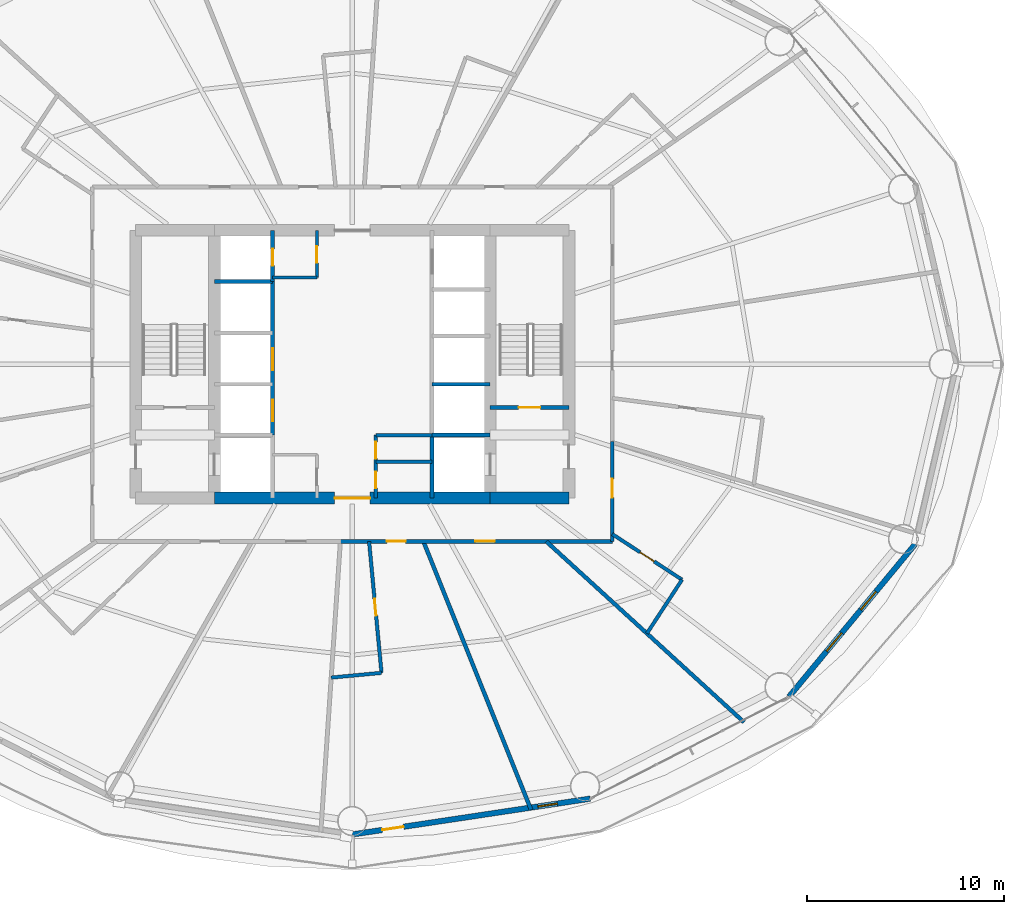
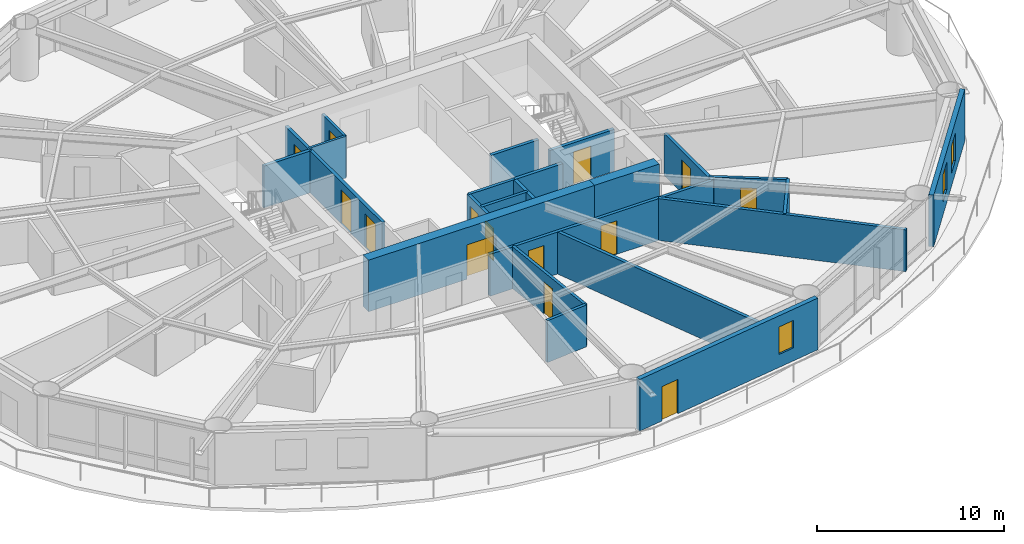
# One storey, part 21 of 26: 24 walls, 14 doors, 3 windows, 17 openings.
"""IFC4 building model written with IfcOpenShell, lengths in metres."""

import ifcopenshell
import ifcopenshell.guid

model = None  # the IFC model being written
_history = None  # IfcOwnerHistory: only IFC2X3 demands one
_inside = {}  # id of a spatial element -> (the spatial element, [elements in it])
_under = {}  # id of a project, library or spatial element -> (it, [spatial elements below it])
_declared = {}  # id of a project -> (the project, [libraries it declares])
_typed = {}  # id of a type object -> (the type object, [elements of that type])
_made_of = {}  # id of a material, layer set ... -> (it, [elements and type objects made of it])


def new_model(schema):
    """Start an empty IFC model of exactly this schema.

    Asked for "IFC4X3", IfcOpenShell would pick the latest addendum, in which some entities
    have other attributes; the version numbers below select the first issue.
    IFC2X3 requires an IfcOwnerHistory on every rooted entity: one is made here for all.
    """
    global model, _history
    if schema == "IFC4X3":
        model = ifcopenshell.file(schema_version=(4, 3, 0, 0))
    else:
        model = ifcopenshell.file(schema=schema)
    _inside.clear()
    _under.clear()
    _declared.clear()
    _typed.clear()
    _made_of.clear()
    _history = None
    if model.schema == "IFC2X3":
        org = make("IfcOrganization", Name="unknown")
        user = make(
            "IfcPersonAndOrganization",
            ThePerson=make("IfcPerson", FamilyName="unknown"),
            TheOrganization=org,
        )
        app = make(
            "IfcApplication",
            ApplicationDeveloper=org,
            Version="unknown",
            ApplicationFullName="unknown",
            ApplicationIdentifier="unknown",
        )
        _history = make(
            "IfcOwnerHistory",
            OwningUser=user,
            OwningApplication=app,
            ChangeAction="ADDED",
            CreationDate=0,
        )
    return model


def make(cls, **values):
    """One entity of the class cls with the attributes given. An attribute that is None is left unset."""
    return model.create_entity(
        cls, **{name: value for name, value in values.items() if value is not None}
    )


def rooted(cls, **values):
    """An entity with a GlobalId (a new one), such as an element, a storey or a relation."""
    return make(cls, GlobalId=ifcopenshell.guid.new(), OwnerHistory=_history, **values)


def si_unit(unit_type, name, prefix=None):
    """IfcSIUnit, for example si_unit("LENGTHUNIT", "METRE", prefix="MILLI")."""
    return make("IfcSIUnit", UnitType=unit_type, Prefix=prefix, Name=name)


def assignment(units):
    """IfcUnitAssignment: the units of a project."""
    return None if units is None else make("IfcUnitAssignment", Units=units)


def point(xyz):
    """IfcCartesianPoint."""
    return None if xyz is None else make("IfcCartesianPoint", Coordinates=xyz)


def direction(xyz):
    """IfcDirection."""
    return None if xyz is None else make("IfcDirection", DirectionRatios=xyz)


def frame(location, z_axis=None, x_axis=None):
    """IfcAxis2Placement3D, a coordinate frame: its origin and axes. An axis left out is left unset."""
    return make(
        "IfcAxis2Placement3D",
        Location=point(location),
        Axis=direction(z_axis),
        RefDirection=direction(x_axis),
    )


def frame_2d(location, x_axis=None):
    """IfcAxis2Placement2D, a coordinate frame in the plane: its origin and x axis."""
    return make(
        "IfcAxis2Placement2D", Location=point(location), RefDirection=direction(x_axis)
    )


def origin():
    """The frame at (0, 0, 0) with its axes left unset."""
    return frame((0.0, 0.0, 0.0))


def place(relative_to, where):
    """IfcLocalPlacement: puts the frame where relative to a parent placement (None: the world)."""
    return make(
        "IfcLocalPlacement", PlacementRelTo=relative_to, RelativePlacement=where
    )


def context(
    kind, dimensions, precision=None, world=None, true_north=None, identifier=None
):
    """IfcGeometricRepresentationContext, for example the 3D "Model" context."""
    return make(
        "IfcGeometricRepresentationContext",
        ContextIdentifier=identifier,
        ContextType=kind,
        CoordinateSpaceDimension=dimensions,
        Precision=precision,
        WorldCoordinateSystem=world,
        TrueNorth=true_north,
    )


def subcontext(parent, identifier, kind, view, scale=None):
    """IfcGeometricRepresentationSubContext, for example "Body" below "Model"."""
    return make(
        "IfcGeometricRepresentationSubContext",
        ContextIdentifier=identifier,
        ContextType=kind,
        ParentContext=parent,
        TargetScale=scale,
        TargetView=view,
    )


def project(units=None, contexts=None):
    """IfcProject with its units and contexts."""
    return rooted(
        "IfcProject",
        Name="project",
        RepresentationContexts=contexts,
        UnitsInContext=assignment(units),
    )


def spatial(cls, under=None, at=None, **own):
    """A site, building, storey or space (cls), placed at a placement, below another one or the project."""
    s = rooted(cls, ObjectPlacement=at, **own)
    if under is not None:
        _under.setdefault(under.id(), (under, []))[1].append(s)
    return s


def profile(cls, at=None, kind="AREA", **sizes):
    """A parametric profile (cls). Its sizes go by their IFC names, for example OverallWidth=200.0."""
    return make(cls, ProfileType=kind, Position=at, **sizes)


def rectangle(**sizes):
    """IfcRectangleProfileDef."""
    return profile("IfcRectangleProfileDef", **sizes)


def extrude(swept, where, along, depth):
    """IfcExtrudedAreaSolid: the profile swept, set in the frame where, extruded along a direction by depth."""
    return make(
        "IfcExtrudedAreaSolid",
        SweptArea=swept,
        Position=where,
        ExtrudedDirection=direction(along),
        Depth=depth,
    )


def shape(context_of_items, identifier, shape_type, items):
    """IfcShapeRepresentation: the items that make up one representation, for example the "Body"."""
    return make(
        "IfcShapeRepresentation",
        ContextOfItems=context_of_items,
        RepresentationIdentifier=identifier,
        RepresentationType=shape_type,
        Items=items,
    )


def material(Name=None, Category=None):
    """IfcMaterial."""
    return make("IfcMaterial", Name=Name, Category=Category)


def layer(
    of_material, thickness, ventilated=None, Name=None, Category=None, Priority=None
):
    """IfcMaterialLayer: one layer of a wall or slab, of a material (None: an air gap)."""
    return make(
        "IfcMaterialLayer",
        Material=of_material,
        LayerThickness=thickness,
        IsVentilated=ventilated,
        Name=Name,
        Category=Category,
        Priority=Priority,
    )


def layer_set(layers, Name=None):
    """IfcMaterialLayerSet."""
    return make("IfcMaterialLayerSet", MaterialLayers=layers, LayerSetName=Name)


def made_of(thing, what):
    """Note that an element or type object is made of a material, layer set ...; save() writes the relation."""
    if what is not None:
        _made_of.setdefault(what.id(), (what, []))[1].append(thing)
    return thing


def type_object(cls, material=None, **own):
    """A type object (cls), such as IfcWallType, which elements share."""
    return made_of(rooted(cls, **own), material)


def element(
    cls,
    number,
    at=None,
    inside=None,
    cuts=None,
    type_object=None,
    material=None,
    context=None,
    identifier="Body",
    shape_type=None,
    held_by="IfcProductDefinitionShape",
    body=None,
    shapes=None,
    **own,
):
    """One element of the class cls, such as IfcWall. Its Tag is "e" and its number.

    at: its placement. inside: the storey or other place that contains it. cuts: it is an
    opening in that element (IfcRelVoidsElement). A single representation is given by context,
    identifier, shape_type and body (its items); several are given by shapes. held_by: the class
    of the entity that holds the representations. save() writes the other relations.
    """
    e = rooted(cls, Tag="e%d" % number, ObjectPlacement=at, **own)
    if body is not None:
        shapes = [shape(context, identifier, shape_type, body)]
    if shapes is not None:
        e.Representation = make(held_by, Representations=shapes)
    if inside is not None:
        _inside.setdefault(inside.id(), (inside, []))[1].append(e)
    if cuts is not None:
        rooted(
            "IfcRelVoidsElement", RelatingBuildingElement=cuts, RelatedOpeningElement=e
        )
    if type_object is not None:
        _typed.setdefault(type_object.id(), (type_object, []))[1].append(e)
    return made_of(e, material)


def fill(opening, filler):
    """IfcRelFillsElement: the door or window that sits in an opening."""
    return rooted(
        "IfcRelFillsElement",
        RelatingOpeningElement=opening,
        RelatedBuildingElement=filler,
    )


def aggregate(whole, parts):
    """IfcRelAggregates: a whole, such as a stair, and the parts it consists of."""
    return rooted("IfcRelAggregates", RelatingObject=whole, RelatedObjects=parts)


def save(model, path):
    """Write the relations noted so far, then the file.

    IfcRelAggregates (storeys below a building ...), IfcRelContainedInSpatialStructure (elements
    in a storey), IfcRelDefinesByType, IfcRelAssociatesMaterial and IfcRelDeclares: one each for
    every whole, place, type object, material and project.
    """
    for whole, parts in _under.values():
        aggregate(whole, parts)
    for where, things in _inside.values():
        rooted(
            "IfcRelContainedInSpatialStructure",
            RelatedElements=things,
            RelatingStructure=where,
        )
    for kind, things in _typed.values():
        rooted("IfcRelDefinesByType", RelatedObjects=things, RelatingType=kind)
    for what, things in _made_of.values():
        rooted("IfcRelAssociatesMaterial", RelatedObjects=things, RelatingMaterial=what)
    for by, libraries in _declared.values():
        rooted("IfcRelDeclares", RelatingContext=by, RelatedDefinitions=libraries)
    model.write(path)


model = new_model("IFC4")

# Units and contexts
model_context = context("Model", 3, precision=1e-05, world=origin(), true_north=direction((0.0, 1.0)))
body_context = subcontext(model_context, "Body", "Model", "MODEL_VIEW")
ifc_project = project(units=[si_unit("LENGTHUNIT", "METRE"), si_unit("AREAUNIT", "SQUARE_METRE"), si_unit("VOLUMEUNIT", "CUBIC_METRE"), si_unit("PLANEANGLEUNIT", "RADIAN"), si_unit("MASSUNIT", "GRAM", prefix="KILO")], contexts=[model_context])

# Site, building, storey
site_placement = place(None, origin())
site = spatial("IfcSite", under=ifc_project, at=site_placement, CompositionType="ELEMENT")
building_placement = place(site_placement, origin())
building = spatial("IfcBuilding", under=site, at=building_placement, Name="Sarneth Arch Tower", CompositionType="ELEMENT")
storey_placement = place(building_placement, frame((0.0, 0.0, 64.199951171875)))
storey = spatial("IfcBuildingStorey", under=building, at=storey_placement, Name="L15", CompositionType="ELEMENT", Elevation=64.199951171875)

# Wall, opening, door
ifc_material_1 = material(Name="Concrete C60/75", Category="concrete")
ifc_layer_1 = layer(ifc_material_1, 0.60009765625)
ifc_layer_set_1 = layer_set([ifc_layer_1], Name="Concrete C60/75")
wall_type_1 = type_object("IfcWallType", Name="WALL-CORE-600", PredefinedType="SHEAR", material=ifc_layer_set_1)
wall_1_placement = place(storey_placement, frame((41.0, 35.199951171875, 0.0), z_axis=(0.0, 0.0, 1.0), x_axis=(1.0, 0.0, 0.0)))
wall_1 = element("IfcWall", 1, at=wall_1_placement, inside=storey, type_object=wall_type_1, Name="L15 Core shear wall S-M", PredefinedType="SHEAR", context=body_context, shape_type="SweptSolid", body=[
    extrude(rectangle(XDim=14.0, YDim=0.60009765625, at=frame_2d((7.0, 0.0))), origin(), (0.0, 0.0, 1.0), 3.380126953125),
])
opening_1_placement = place(wall_1_placement, frame((6.10009765625, 0.0, 0.0)))
opening_1 = element("IfcOpeningElement", 2, at=opening_1_placement, cuts=wall_1, Name="Opening FD-01", PredefinedType="OPENING", context=body_context, shape_type="SweptSolid", body=[
    extrude(rectangle(XDim=1.800048828125, YDim=2.25, at=frame_2d((0.89990234375, 1.125))), frame((0.0, 0.31005859375, 0.0), z_axis=(0.0, -1.0, 0.0), x_axis=(1.0, 0.0, 0.0)), (0.0, 0.0, 1.0), 0.6201171875),
])
ifc_material_2 = material(Name="Galvanised Steel S275 fire door set", Category="steel")
door_type_1 = type_object("IfcDoorType", Name="DR-FD90-1800", OperationType="DOUBLE_DOOR_SINGLE_SWING", PredefinedType="DOOR", material=ifc_material_2)
door_1_placement = place(opening_1_placement, origin())
door_1 = element("IfcDoor", 3, at=door_1_placement, inside=storey, type_object=door_type_1, Name="L15 Central lift lobby south door", OperationType="DOUBLE_DOOR_SINGLE_SWING", OverallHeight=2.25, OverallWidth=1.800048828125, PredefinedType="DOOR", context=body_context, shape_type="SweptSolid", body=[
    extrude(rectangle(XDim=1.800048828125, YDim=2.25, at=frame_2d((0.89990234375, 1.125))), frame((0.0, 0.02490234375, 0.0), z_axis=(0.0, -1.0, 0.0), x_axis=(1.0, 0.0, 0.0)), (0.0, 0.0, 1.0), 0.050048828125),
])
fill(opening_1, door_1)

# Wall
wall_2_placement = place(storey_placement, frame((55.0, 35.199951171875, 0.0), z_axis=(0.0, 0.0, 1.0), x_axis=(1.0, 0.0, 0.0)))
element("IfcWall", 4, at=wall_2_placement, inside=storey, type_object=wall_type_1, Name="L15 Core shear wall S-E", PredefinedType="SHEAR", context=body_context, shape_type="SweptSolid", body=[
    extrude(rectangle(XDim=4.0, YDim=0.60009765625, at=frame_2d((2.0, 0.0))), origin(), (0.0, 0.0, 1.0), 3.380126953125),
])

# Wall, openings, doors
ifc_material_3 = material(Name="Double steel-stud corridor fire wall", Category="steel")
ifc_layer_2 = layer(ifc_material_3, 0.18994140625)
ifc_layer_set_2 = layer_set([ifc_layer_2], Name="Double steel-stud corridor fire wall")
wall_type_2 = type_object("IfcWallType", Name="WALL-CORR-190", PredefinedType="PARTITIONING", material=ifc_layer_set_2)
wall_3_placement = place(storey_placement, frame((61.199951171875, 33.0, 0.0), z_axis=(0.0, 0.0, 1.0), x_axis=(-1.0, 0.0, 0.0)))
wall_3 = element("IfcWall", 5, at=wall_3_placement, inside=storey, type_object=wall_type_2, Name="L15 Interior partition W-L15-TP-023", PredefinedType="PARTITIONING", context=body_context, shape_type="SweptSolid", body=[
    extrude(rectangle(XDim=13.8388671875, YDim=0.18994140625, at=frame_2d((6.91943359375, 0.0))), origin(), (0.0, 0.0, 1.0), 2.739990234375),
])
opening_2_placement = place(wall_3_placement, frame((5.96533203125, 0.0, 0.0)))
opening_2 = element("IfcOpeningElement", 6, at=opening_2_placement, cuts=wall_3, Name="Opening FD-08", PredefinedType="OPENING", context=body_context, shape_type="SweptSolid", body=[
    extrude(rectangle(XDim=1.0, YDim=2.199951171875, at=frame_2d((0.5, 1.10009765625))), frame((0.0, 0.10498046875, 0.0), z_axis=(0.0, -1.0, 0.0), x_axis=(1.0, 0.0, 0.0)), (0.0, 0.0, 1.0), 0.2099609375),
])
opening_3_placement = place(wall_3_placement, frame((10.493408203125, 0.0, 0.0)))
opening_3 = element("IfcOpeningElement", 7, at=opening_3_placement, cuts=wall_3, Name="Opening FD-09", PredefinedType="OPENING", context=body_context, shape_type="SweptSolid", body=[
    extrude(rectangle(XDim=0.949951171875, YDim=2.14990234375, at=frame_2d((0.47509765625, 1.074951171875))), frame((0.0, 0.10498046875, 0.0), z_axis=(0.0, -1.0, 0.0), x_axis=(1.0, 0.0, 0.0)), (0.0, 0.0, 1.0), 0.2099609375),
])
ifc_material_4 = material(Name="Hardwood timber acoustic fire door", Category="wood")
door_type_2 = type_object("IfcDoorType", Name="DR-FD60-1000", OperationType="SINGLE_SWING_LEFT", PredefinedType="DOOR", material=ifc_material_4)
door_2_placement = place(opening_2_placement, origin())
door_2 = element("IfcDoor", 8, at=door_2_placement, inside=storey, type_object=door_type_2, Name="L15 Interior door DR-L15-AMN-12", OperationType="SINGLE_SWING_LEFT", OverallHeight=2.199951171875, OverallWidth=1.0, PredefinedType="DOOR", context=body_context, shape_type="SweptSolid", body=[
    extrude(rectangle(XDim=1.0, YDim=2.199951171875, at=frame_2d((0.5, 1.10009765625))), frame((0.0, 0.02490234375, 0.0), z_axis=(0.0, -1.0, 0.0), x_axis=(1.0, 0.0, 0.0)), (0.0, 0.0, 1.0), 0.050048828125),
])
fill(opening_2, door_2)
ifc_material_5 = material(Name="Hardwood timber hotel entrance fire door", Category="wood")
door_type_3 = type_object("IfcDoorType", Name="DR-FD60-950", OperationType="SINGLE_SWING_RIGHT", PredefinedType="DOOR", material=ifc_material_5)
door_3_placement = place(opening_3_placement, origin())
door_3 = element("IfcDoor", 9, at=door_3_placement, inside=storey, type_object=door_type_3, Name="L15 Interior door DR-L15-KEY-11", OperationType="SINGLE_SWING_LEFT", OverallHeight=2.14990234375, OverallWidth=0.949951171875, PredefinedType="DOOR", context=body_context, shape_type="SweptSolid", body=[
    extrude(rectangle(XDim=0.949951171875, YDim=2.14990234375, at=frame_2d((0.47509765625, 1.074951171875))), frame((0.0, 0.02490234375, 0.0), z_axis=(0.0, -1.0, 0.0), x_axis=(1.0, 0.0, 0.0)), (0.0, 0.0, 1.0), 0.050048828125),
])
fill(opening_3, door_3)

# Wall, opening, door
wall_4_placement = place(storey_placement, frame((61.199951171875, 38.069580078125, 0.0), z_axis=(0.0, 0.0, 1.0), x_axis=(0.0, -1.0, 0.0)))
wall_4 = element("IfcWall", 10, at=wall_4_placement, inside=storey, type_object=wall_type_2, Name="L15 Interior partition W-L15-TP-024", PredefinedType="PARTITIONING", context=body_context, shape_type="SweptSolid", body=[
    extrude(rectangle(XDim=5.069580078125, YDim=0.18994140625, at=frame_2d((2.53466796875, 0.0))), origin(), (0.0, 0.0, 1.0), 2.739990234375),
])
opening_4_placement = place(wall_4_placement, frame((1.89306640625, 0.0, 0.0)))
opening_4 = element("IfcOpeningElement", 11, at=opening_4_placement, cuts=wall_4, Name="Opening FD-09", PredefinedType="OPENING", context=body_context, shape_type="SweptSolid", body=[
    extrude(rectangle(XDim=0.949951171875, YDim=2.14990234375, at=frame_2d((0.47509765625, 1.074951171875))), frame((0.0, 0.10498046875, 0.0), z_axis=(0.0, -1.0, 0.0), x_axis=(1.0, 0.0, 0.0)), (0.0, 0.0, 1.0), 0.2099609375),
])
door_4_placement = place(opening_4_placement, origin())
door_4 = element("IfcDoor", 12, at=door_4_placement, inside=storey, type_object=door_type_3, Name="L15 Interior door DR-L15-KEY-13", OperationType="SINGLE_SWING_RIGHT", OverallHeight=2.14990234375, OverallWidth=0.949951171875, PredefinedType="DOOR", context=body_context, shape_type="SweptSolid", body=[
    extrude(rectangle(XDim=0.949951171875, YDim=2.14990234375, at=frame_2d((0.47509765625, 1.074951171875))), frame((0.0, 0.02490234375, 0.0), z_axis=(0.0, -1.0, 0.0), x_axis=(1.0, 0.0, 0.0)), (0.0, 0.0, 1.0), 0.050048828125),
])
fill(opening_4, door_4)

# Wall, openings, door, window
ifc_material_6 = material(Name="Extruded terracotta rainscreen on Concrete C40/50 backing", Category="masonry")
ifc_layer_3 = layer(ifc_material_6, 0.280029296875)
ifc_layer_set_3 = layer_set([ifc_layer_3], Name="Extruded terracotta rainscreen on Concrete C40/50 backing")
wall_type_3 = type_object("IfcWallType", Name="WALL-EXT-TERRA-280", PredefinedType="SOLIDWALL", material=ifc_layer_set_3)
wall_5_placement = place(storey_placement, frame((48.0, 18.1201171875, 0.0), z_axis=(0.0, 0.0, 1.0), x_axis=(0.988864835849, 0.148816452121, 0.0)))
wall_5 = element("IfcWall", 13, at=wall_5_placement, inside=storey, type_object=wall_type_3, Name="L15 Terracotta perimeter wall 13", PredefinedType="SOLIDWALL", context=body_context, shape_type="SweptSolid", body=[
    extrude(rectangle(XDim=12.2138671875, YDim=0.280029296875, at=frame_2d((6.10693359375, 0.0))), origin(), (0.0, 0.0, 1.0), 3.380126953125),
])
opening_5_placement = place(wall_5_placement, frame((1.53125, 0.0, 0.0)))
opening_5 = element("IfcOpeningElement", 14, at=opening_5_placement, cuts=wall_5, Name="Opening BD-3", PredefinedType="OPENING", context=body_context, shape_type="SweptSolid", body=[
    extrude(rectangle(XDim=1.10009765625, YDim=2.25, at=frame_2d((0.550048828125, 1.125))), frame((0.0, 0.14990234375, 0.0), z_axis=(0.0, -1.0, 0.0), x_axis=(1.0, 0.0, 0.0)), (0.0, 0.0, 1.0), 0.300048828125),
])
opening_6_placement = place(wall_5_placement, frame((9.531494140625, 0.0, 0.85009765625)))
opening_6 = element("IfcOpeningElement", 15, at=opening_6_placement, cuts=wall_5, Name="Opening W-11", PredefinedType="OPENING", context=body_context, shape_type="SweptSolid", body=[
    extrude(rectangle(XDim=1.0, YDim=1.800048828125, at=frame_2d((0.5, 0.89990234375))), frame((0.0, 0.14990234375, 0.0), z_axis=(0.0, -1.0, 0.0), x_axis=(1.0, 0.0, 0.0)), (0.0, 0.0, 1.0), 0.300048828125),
])
ifc_material_7 = material(Name="Thermally broken Aluminium 6063-T6 and laminated safety glass", Category="aluminium")
door_type_4 = type_object("IfcDoorType", Name="DR-BALC-GLZ-1100", OperationType="SINGLE_SWING_LEFT", PredefinedType="DOOR", material=ifc_material_7)
door_5_placement = place(opening_5_placement, origin())
door_5 = element("IfcDoor", 16, at=door_5_placement, inside=storey, type_object=door_type_4, Name="L15 Balcony glazed door 13", OperationType="SINGLE_SWING_LEFT", OverallHeight=2.25, OverallWidth=1.10009765625, PredefinedType="DOOR", context=body_context, shape_type="SweptSolid", body=[
    extrude(rectangle(XDim=1.10009765625, YDim=2.25, at=frame_2d((0.550048828125, 1.125))), frame((0.0, 0.02490234375, 0.0), z_axis=(0.0, -1.0, 0.0), x_axis=(1.0, 0.0, 0.0)), (0.0, 0.0, 1.0), 0.050048828125),
])
fill(opening_5, door_5)
ifc_material_8 = material(Name="Thermally broken Aluminium 6063-T6 and low-e laminated IGU", Category="aluminium")
window_type_1 = type_object("IfcWindowType", Name="WIN-TWR-1000x1800", PartitioningType="SINGLE_PANEL", PredefinedType="WINDOW", material=ifc_material_8)
window_1_placement = place(opening_6_placement, origin())
window_1 = element("IfcWindow", 17, at=window_1_placement, inside=storey, type_object=window_type_1, Name="L15 Exterior window 13A", OverallHeight=1.800048828125, OverallWidth=1.0, PartitioningType="SINGLE_PANEL", PredefinedType="WINDOW", context=body_context, shape_type="SweptSolid", body=[
    extrude(rectangle(XDim=1.0, YDim=1.800048828125, at=frame_2d((0.5, 0.89990234375))), frame((0.0, 0.030029296875, 0.0), z_axis=(0.0, -1.0, 0.0), x_axis=(1.0, 0.0, 0.0)), (0.0, 0.0, 1.0), 0.06005859375),
])
fill(opening_6, window_1)

# Wall, openings, windows
wall_6_placement = place(storey_placement, frame((70.174072265625, 25.1142578125, 0.0), z_axis=(0.0, 0.0, 1.0), x_axis=(0.637296809613, 0.770618437657, 0.0)))
wall_6 = element("IfcWall", 18, at=wall_6_placement, inside=storey, type_object=wall_type_3, Name="L15 Terracotta perimeter wall 15", PredefinedType="SOLIDWALL", context=body_context, shape_type="SweptSolid", body=[
    extrude(rectangle(XDim=10.053466796875, YDim=0.280029296875, at=frame_2d((5.02685546875, 0.0))), origin(), (0.0, 0.0, 1.0), 3.380126953125),
])
opening_7_placement = place(wall_6_placement, frame((2.998046875, 0.0, 0.85009765625)))
opening_7 = element("IfcOpeningElement", 19, at=opening_7_placement, cuts=wall_6, Name="Opening W-09", PredefinedType="OPENING", context=body_context, shape_type="SweptSolid", body=[
    extrude(rectangle(XDim=1.199951171875, YDim=1.800048828125, at=frame_2d((0.60009765625, 0.89990234375))), frame((0.0, 0.14990234375, 0.0), z_axis=(0.0, -1.0, 0.0), x_axis=(1.0, 0.0, 0.0)), (0.0, 0.0, 1.0), 0.300048828125),
])
opening_8_placement = place(wall_6_placement, frame((5.729736328125, 0.0, 0.85009765625)))
opening_8 = element("IfcOpeningElement", 20, at=opening_8_placement, cuts=wall_6, Name="Opening W-09", PredefinedType="OPENING", context=body_context, shape_type="SweptSolid", body=[
    extrude(rectangle(XDim=1.199951171875, YDim=1.800048828125, at=frame_2d((0.60009765625, 0.89990234375))), frame((0.0, 0.14990234375, 0.0), z_axis=(0.0, -1.0, 0.0), x_axis=(1.0, 0.0, 0.0)), (0.0, 0.0, 1.0), 0.300048828125),
])
ifc_material_9 = material(Name="Thermally broken Aluminium 6063-T6 and low-e laminated IGU", Category="aluminium")
window_type_2 = type_object("IfcWindowType", Name="WIN-TWR-1200x1800", PartitioningType="SINGLE_PANEL", PredefinedType="WINDOW", material=ifc_material_9)
window_2_placement = place(opening_7_placement, origin())
window_2 = element("IfcWindow", 21, at=window_2_placement, inside=storey, type_object=window_type_2, Name="L15 Exterior window 15A", OverallHeight=1.800048828125, OverallWidth=1.199951171875, PartitioningType="SINGLE_PANEL", PredefinedType="WINDOW", context=body_context, shape_type="SweptSolid", body=[
    extrude(rectangle(XDim=1.199951171875, YDim=1.800048828125, at=frame_2d((0.60009765625, 0.89990234375))), frame((0.0, 0.030029296875, 0.0), z_axis=(0.0, -1.0, 0.0), x_axis=(1.0, 0.0, 0.0)), (0.0, 0.0, 1.0), 0.06005859375),
])
fill(opening_7, window_2)
window_3_placement = place(opening_8_placement, origin())
window_3 = element("IfcWindow", 22, at=window_3_placement, inside=storey, type_object=window_type_2, Name="L15 Exterior window 15B", OverallHeight=1.800048828125, OverallWidth=1.199951171875, PartitioningType="SINGLE_PANEL", PredefinedType="WINDOW", context=body_context, shape_type="SweptSolid", body=[
    extrude(rectangle(XDim=1.199951171875, YDim=1.800048828125, at=frame_2d((0.60009765625, 0.89990234375))), frame((0.0, 0.030029296875, 0.0), z_axis=(0.0, -1.0, 0.0), x_axis=(1.0, 0.0, 0.0)), (0.0, 0.0, 1.0), 0.06005859375),
])
fill(opening_8, window_3)

# Wall
ifc_material_10 = material(Name="Acoustic gypsum stud partition", Category="gypsum")
ifc_layer_4 = layer(ifc_material_10, 0.14990234375)
ifc_layer_set_4 = layer_set([ifc_layer_4], Name="Acoustic gypsum stud partition")
wall_type_4 = type_object("IfcWallType", Name="WALL-PART-150", PredefinedType="PARTITIONING", material=ifc_layer_set_4)
wall_7_placement = place(storey_placement, frame((43.949951171875, 46.39990234375, 0.0), z_axis=(0.0, 0.0, 1.0), x_axis=(1.0, 0.0, 0.0)))
element("IfcWall", 23, at=wall_7_placement, inside=storey, type_object=wall_type_4, Name="L15 Interior partition W-L15-CSUP2-S", PredefinedType="PARTITIONING", context=body_context, shape_type="SweptSolid", body=[
    extrude(rectangle(XDim=2.25, YDim=0.14990234375, at=frame_2d((1.125, 0.0))), origin(), (0.0, 0.0, 1.0), 2.739990234375),
])

# Wall, opening, door
wall_8_placement = place(storey_placement, frame((46.199951171875, 46.39990234375, 0.0), z_axis=(0.0, 0.0, 1.0), x_axis=(0.0, 1.0, 0.0)))
wall_8 = element("IfcWall", 24, at=wall_8_placement, inside=storey, type_object=wall_type_4, Name="L15 Interior partition W-L15-CSUP2-E", PredefinedType="PARTITIONING", context=body_context, shape_type="SweptSolid", body=[
    extrude(rectangle(XDim=2.400146484375, YDim=0.14990234375, at=frame_2d((1.2001953125, 0.0))), origin(), (0.0, 0.0, 1.0), 2.739990234375),
])
opening_9_placement = place(wall_8_placement, frame((0.75, 0.0, 0.0)))
opening_9 = element("IfcOpeningElement", 25, at=opening_9_placement, cuts=wall_8, Name="Opening FD-11", PredefinedType="OPENING", context=body_context, shape_type="SweptSolid", body=[
    extrude(rectangle(XDim=0.85009765625, YDim=2.14990234375, at=frame_2d((0.425048828125, 1.074951171875))), frame((0.0, 0.0849609375, 0.0), z_axis=(0.0, -1.0, 0.0), x_axis=(1.0, 0.0, 0.0)), (0.0, 0.0, 1.0), 0.169921875),
])
ifc_material_11 = material(Name="Galvanised Steel S275 closet fire door", Category="steel")
door_type_5 = type_object("IfcDoorType", Name="DR-FD60-850", OperationType="SINGLE_SWING_LEFT", PredefinedType="DOOR", material=ifc_material_11)
door_6_placement = place(opening_9_placement, origin())
door_6 = element("IfcDoor", 26, at=door_6_placement, inside=storey, type_object=door_type_5, Name="L15 Interior door DR-L15-CSUP2", OperationType="SINGLE_SWING_RIGHT", OverallHeight=2.14990234375, OverallWidth=0.85009765625, PredefinedType="DOOR", context=body_context, shape_type="SweptSolid", body=[
    extrude(rectangle(XDim=0.85009765625, YDim=2.14990234375, at=frame_2d((0.425048828125, 1.074951171875))), frame((0.0, 0.02490234375, 0.0), z_axis=(0.0, -1.0, 0.0), x_axis=(1.0, 0.0, 0.0)), (0.0, 0.0, 1.0), 0.050048828125),
])
fill(opening_9, door_6)

# Walls
ifc_material_12 = material(Name="Moisture-resistant plumbing chase wall", Category="gypsum")
ifc_layer_5 = layer(ifc_material_12, 0.179931640625)
ifc_layer_set_5 = layer_set([ifc_layer_5], Name="Moisture-resistant plumbing chase wall")
wall_type_5 = type_object("IfcWallType", Name="WALL-PLUMB-180", PredefinedType="PLUMBINGWALL", material=ifc_layer_set_5)
for number, where, z_axis, x_axis, name in (
    (27, (49.199951171875, 37.050048828125, 0.0), (0.0, 0.0, 1.0), (1.0, 0.0, 0.0), "L15 Interior partition W-L15-AWC-M"),
    (28, (49.199951171875, 38.39990234375, 0.0), (0.0, 0.0, 1.0), (1.0, 0.0, 0.0), "L15 Interior partition W-L15-AWC-N"),
):
    element("IfcWall", number, at=place(storey_placement, frame(where, z_axis=z_axis, x_axis=x_axis)), inside=storey, type_object=wall_type_5, Name=name, PredefinedType="PLUMBINGWALL", context=body_context, shape_type="SweptSolid", body=[
        extrude(rectangle(XDim=2.85009765625, YDim=0.179931640625, at=frame_2d((1.425048828125, 0.0))), origin(), (0.0, 0.0, 1.0), 2.739990234375),
    ])

# Wall, openings, doors
wall_9_placement = place(storey_placement, frame((49.199951171875, 35.199951171875, 0.0), z_axis=(0.0, 0.0, 1.0), x_axis=(0.0, 1.0, 0.0)))
wall_9 = element("IfcWall", 29, at=wall_9_placement, inside=storey, type_object=wall_type_5, Name="L15 Interior partition W-L15-AWC-W", PredefinedType="PLUMBINGWALL", context=body_context, shape_type="SweptSolid", body=[
    extrude(rectangle(XDim=3.199951171875, YDim=0.179931640625, at=frame_2d((1.60009765625, 0.0))), origin(), (0.0, 0.0, 1.0), 2.739990234375),
])
opening_10_placement = place(wall_9_placement, frame((0.5, 0.0, 0.0)))
opening_10 = element("IfcOpeningElement", 30, at=opening_10_placement, cuts=wall_9, Name="Opening ID-02", PredefinedType="OPENING", context=body_context, shape_type="SweptSolid", body=[
    extrude(rectangle(XDim=0.85009765625, YDim=2.10009765625, at=frame_2d((0.425048828125, 1.050048828125))), frame((0.0, 0.099853515625, 0.0), z_axis=(0.0, -1.0, 0.0), x_axis=(1.0, 0.0, 0.0)), (0.0, 0.0, 1.0), 0.199951171875),
])
opening_11_placement = place(wall_9_placement, frame((2.0, 0.0, 0.0)))
opening_11 = element("IfcOpeningElement", 31, at=opening_11_placement, cuts=wall_9, Name="Opening FD-11", PredefinedType="OPENING", context=body_context, shape_type="SweptSolid", body=[
    extrude(rectangle(XDim=0.85009765625, YDim=2.14990234375, at=frame_2d((0.425048828125, 1.074951171875))), frame((0.0, 0.099853515625, 0.0), z_axis=(0.0, -1.0, 0.0), x_axis=(1.0, 0.0, 0.0)), (0.0, 0.0, 1.0), 0.199951171875),
])
door_7_placement = place(opening_11_placement, origin())
door_7 = element("IfcDoor", 32, at=door_7_placement, inside=storey, type_object=door_type_5, Name="L15 Interior door DR-L15-CSUP3", OperationType="SINGLE_SWING_LEFT", OverallHeight=2.14990234375, OverallWidth=0.85009765625, PredefinedType="DOOR", context=body_context, shape_type="SweptSolid", body=[
    extrude(rectangle(XDim=0.85009765625, YDim=2.14990234375, at=frame_2d((0.425048828125, 1.074951171875))), frame((0.0, 0.02490234375, 0.0), z_axis=(0.0, -1.0, 0.0), x_axis=(1.0, 0.0, 0.0)), (0.0, 0.0, 1.0), 0.050048828125),
])
fill(opening_11, door_7)
ifc_material_13 = material(Name="Moisture-resistant bathroom timber door", Category="wood")
door_type_6 = type_object("IfcDoorType", Name="DR-INT-850", OperationType="SINGLE_SWING_RIGHT", PredefinedType="DOOR", material=ifc_material_13)
door_8_placement = place(opening_10_placement, origin())
door_8 = element("IfcDoor", 33, at=door_8_placement, inside=storey, type_object=door_type_6, Name="L15 Interior door DR-L15-AWC", OperationType="SINGLE_SWING_RIGHT", OverallHeight=2.10009765625, OverallWidth=0.85009765625, PredefinedType="DOOR", context=body_context, shape_type="SweptSolid", body=[
    extrude(rectangle(XDim=0.85009765625, YDim=2.10009765625, at=frame_2d((0.425048828125, 1.050048828125))), frame((0.0, 0.02490234375, 0.0), z_axis=(0.0, -1.0, 0.0), x_axis=(1.0, 0.0, 0.0)), (0.0, 0.0, 1.0), 0.050048828125),
])
fill(opening_10, door_8)

# Wall, opening, door
wall_10_placement = place(storey_placement, frame((49.481689453125, 26.326171875, 0.0), z_axis=(0.0, 0.0, 1.0), x_axis=(-0.094107851527, 0.995562008255, 0.0)))
wall_10 = element("IfcWall", 34, at=wall_10_placement, inside=storey, type_object=wall_type_5, Name="L15 Interior partition W-L15-TP-063", PredefinedType="PLUMBINGWALL", context=body_context, shape_type="SweptSolid", body=[
    extrude(rectangle(XDim=6.70361328125, YDim=0.179931640625, at=frame_2d((3.351806640625, 0.0))), origin(), (0.0, 0.0, 1.0), 2.739990234375),
])
opening_12_placement = place(wall_10_placement, frame((2.9267578125, 0.0, 0.0)))
opening_12 = element("IfcOpeningElement", 35, at=opening_12_placement, cuts=wall_10, Name="Opening ID-02", PredefinedType="OPENING", context=body_context, shape_type="SweptSolid", body=[
    extrude(rectangle(XDim=0.85009765625, YDim=2.10009765625, at=frame_2d((0.425048828125, 1.050048828125))), frame((0.0, 0.099853515625, 0.0), z_axis=(0.0, -1.0, 0.0), x_axis=(1.0, 0.0, 0.0)), (0.0, 0.0, 1.0), 0.199951171875),
])
door_9_placement = place(opening_12_placement, origin())
door_9 = element("IfcDoor", 36, at=door_9_placement, inside=storey, type_object=door_type_6, Name="L15 Interior door DR-L15-ENS-11", OperationType="SINGLE_SWING_RIGHT", OverallHeight=2.10009765625, OverallWidth=0.85009765625, PredefinedType="DOOR", context=body_context, shape_type="SweptSolid", body=[
    extrude(rectangle(XDim=0.85009765625, YDim=2.10009765625, at=frame_2d((0.425048828125, 1.050048828125))), frame((0.0, 0.02490234375, 0.0), z_axis=(0.0, -1.0, 0.0), x_axis=(1.0, 0.0, 0.0)), (0.0, 0.0, 1.0), 0.050048828125),
])
fill(opening_12, door_9)

wall_11_placement = place(storey_placement, frame((64.74169921875, 31.056396484375, 0.0), z_axis=(0.0, 0.0, 1.0), x_axis=(-0.837031612028, 0.5471545307, 0.0)))
wall_11 = element("IfcWall", 37, at=wall_11_placement, inside=storey, type_object=wall_type_5, Name="L15 Interior partition W-L15-TP-068", PredefinedType="PLUMBINGWALL", context=body_context, shape_type="SweptSolid", body=[
    extrude(rectangle(XDim=4.231201171875, YDim=0.179931640625, at=frame_2d((2.11572265625, 0.0))), origin(), (0.0, 0.0, 1.0), 2.739990234375),
])
opening_13_placement = place(wall_11_placement, frame((1.690673828125, 0.0, 0.0)))
opening_13 = element("IfcOpeningElement", 38, at=opening_13_placement, cuts=wall_11, Name="Opening ID-02", PredefinedType="OPENING", context=body_context, shape_type="SweptSolid", body=[
    extrude(rectangle(XDim=0.85009765625, YDim=2.10009765625, at=frame_2d((0.425048828125, 1.050048828125))), frame((0.0, 0.099853515625, 0.0), z_axis=(0.0, -1.0, 0.0), x_axis=(1.0, 0.0, 0.0)), (0.0, 0.0, 1.0), 0.199951171875),
])
door_10_placement = place(opening_13_placement, origin())
door_10 = element("IfcDoor", 39, at=door_10_placement, inside=storey, type_object=door_type_6, Name="L15 Interior door DR-L15-ENS-13", OperationType="SINGLE_SWING_LEFT", OverallHeight=2.10009765625, OverallWidth=0.85009765625, PredefinedType="DOOR", context=body_context, shape_type="SweptSolid", body=[
    extrude(rectangle(XDim=0.85009765625, YDim=2.10009765625, at=frame_2d((0.425048828125, 1.050048828125))), frame((0.0, 0.02490234375, 0.0), z_axis=(0.0, -1.0, 0.0), x_axis=(1.0, 0.0, 0.0)), (0.0, 0.0, 1.0), 0.050048828125),
])
fill(opening_13, door_10)

# Walls
wall_12_placement = place(storey_placement, frame((62.9580078125, 28.327880859375, 0.0), z_axis=(0.0, 0.0, 1.0), x_axis=(0.547176717469, 0.837017108463, 0.0)))
element("IfcWall", 40, at=wall_12_placement, inside=storey, type_object=wall_type_5, Name="L15 Interior partition W-L15-TP-067", PredefinedType="PLUMBINGWALL", context=body_context, shape_type="SweptSolid", body=[
    extrude(rectangle(XDim=3.259765625, YDim=0.179931640625, at=frame_2d((1.6298828125, 0.0))), origin(), (0.0, 0.0, 1.0), 2.739990234375),
])
wall_13_placement = place(storey_placement, frame((46.927001953125, 26.084716796875, 0.0), z_axis=(0.0, 0.0, 1.0), x_axis=(0.995563205557, 0.09409518447, 0.0)))
element("IfcWall", 41, at=wall_13_placement, inside=storey, type_object=wall_type_5, Name="L15 Interior partition W-L15-TP-062", PredefinedType="PLUMBINGWALL", context=body_context, shape_type="SweptSolid", body=[
    extrude(rectangle(XDim=2.566162109375, YDim=0.179931640625, at=frame_2d((1.283203125, 0.0))), origin(), (0.0, 0.0, 1.0), 2.739990234375),
])

# Wall, opening, door
ifc_material_14 = material(Name="Aerated concrete blockwork C25/30", Category="masonry")
ifc_layer_6 = layer(ifc_material_14, 0.199951171875)
ifc_layer_set_6 = layer_set([ifc_layer_6], Name="Aerated concrete blockwork C25/30")
wall_type_6 = type_object("IfcWallType", Name="WALL-SHAFT-200", PredefinedType="SOLIDWALL", material=ifc_layer_set_6)
wall_14_placement = place(storey_placement, frame((55.0, 39.800048828125, 0.0), z_axis=(0.0, 0.0, 1.0), x_axis=(1.0, 0.0, 0.0)))
wall_14 = element("IfcWall", 42, at=wall_14_placement, inside=storey, type_object=wall_type_6, Name="L15 Interior partition W-L15-ST2-S", PredefinedType="SOLIDWALL", context=body_context, shape_type="SweptSolid", body=[
    extrude(rectangle(XDim=4.0, YDim=0.199951171875, at=frame_2d((2.0, 0.0))), origin(), (0.0, 0.0, 1.0), 2.739990234375),
])
opening_14_placement = place(wall_14_placement, frame((1.449951171875, 0.0, 0.0)))
opening_14 = element("IfcOpeningElement", 43, at=opening_14_placement, cuts=wall_14, Name="Opening FD-03", PredefinedType="OPENING", context=body_context, shape_type="SweptSolid", body=[
    extrude(rectangle(XDim=1.10009765625, YDim=2.14990234375, at=frame_2d((0.550048828125, 1.074951171875))), frame((0.0, 0.10986328125, 0.0), z_axis=(0.0, -1.0, 0.0), x_axis=(1.0, 0.0, 0.0)), (0.0, 0.0, 1.0), 0.219970703125),
])
ifc_material_15 = material(Name="Galvanised Steel S275 fire door set", Category="steel")
door_type_7 = type_object("IfcDoorType", Name="DR-FD90-1100", OperationType="SINGLE_SWING_LEFT", PredefinedType="DOOR", material=ifc_material_15)
door_11_placement = place(opening_14_placement, origin())
door_11 = element("IfcDoor", 44, at=door_11_placement, inside=storey, type_object=door_type_7, Name="L15 Interior door DR-L15-ST2", OperationType="SINGLE_SWING_RIGHT", OverallHeight=2.14990234375, OverallWidth=1.10009765625, PredefinedType="DOOR", context=body_context, shape_type="SweptSolid", body=[
    extrude(rectangle(XDim=1.10009765625, YDim=2.14990234375, at=frame_2d((0.550048828125, 1.074951171875))), frame((0.0, 0.02490234375, 0.0), z_axis=(0.0, -1.0, 0.0), x_axis=(1.0, 0.0, 0.0)), (0.0, 0.0, 1.0), 0.050048828125),
])
fill(opening_14, door_11)

# Walls
wall_15_placement = place(storey_placement, frame((52.050048828125, 35.199951171875, 0.0), z_axis=(0.0, 0.0, 1.0), x_axis=(0.0, 1.0, 0.0)))
element("IfcWall", 45, at=wall_15_placement, inside=storey, type_object=wall_type_6, Name="L15 Interior partition W-L15-FL2-W", PredefinedType="SOLIDWALL", context=body_context, shape_type="SweptSolid", body=[
    extrude(rectangle(XDim=3.199951171875, YDim=0.199951171875, at=frame_2d((1.60009765625, 0.0))), origin(), (0.0, 0.0, 1.0), 2.739990234375),
])
for number, where, z_axis, x_axis, name in (
    (46, (52.050048828125, 38.39990234375, 0.0), (0.0, 0.0, 1.0), (1.0, 0.0, 0.0), "L15 Interior partition W-L15-FL2-N"),
    (47, (41.0, 46.199951171875, 0.0), (0.0, 0.0, 1.0), (1.0, 0.0, 0.0), "L15 Interior partition W-L15-RISER-S"),
):
    element("IfcWall", number, at=place(storey_placement, frame(where, z_axis=z_axis, x_axis=x_axis)), inside=storey, type_object=wall_type_6, Name=name, PredefinedType="SOLIDWALL", context=body_context, shape_type="SweptSolid", body=[
        extrude(rectangle(XDim=2.949951171875, YDim=0.199951171875, at=frame_2d((1.47509765625, 0.0))), origin(), (0.0, 0.0, 1.0), 2.739990234375),
    ])

# Wall, opening, door
wall_16_placement = place(storey_placement, frame((43.949951171875, 46.199951171875, 0.0), z_axis=(0.0, 0.0, 1.0), x_axis=(0.0, 1.0, 0.0)))
wall_16 = element("IfcWall", 48, at=wall_16_placement, inside=storey, type_object=wall_type_6, Name="L15 Interior partition W-L15-RISER-E", PredefinedType="SOLIDWALL", context=body_context, shape_type="SweptSolid", body=[
    extrude(rectangle(XDim=2.60009765625, YDim=0.199951171875, at=frame_2d((1.300048828125, 0.0))), origin(), (0.0, 0.0, 1.0), 2.739990234375),
])
opening_15_placement = place(wall_16_placement, frame((0.800048828125, 0.0, 0.0)))
opening_15 = element("IfcOpeningElement", 49, at=opening_15_placement, cuts=wall_16, Name="Opening FD-11", PredefinedType="OPENING", context=body_context, shape_type="SweptSolid", body=[
    extrude(rectangle(XDim=0.85009765625, YDim=2.14990234375, at=frame_2d((0.425048828125, 1.074951171875))), frame((0.0, 0.10986328125, 0.0), z_axis=(0.0, -1.0, 0.0), x_axis=(1.0, 0.0, 0.0)), (0.0, 0.0, 1.0), 0.219970703125),
])
door_12_placement = place(opening_15_placement, origin())
door_12 = element("IfcDoor", 50, at=door_12_placement, inside=storey, type_object=door_type_5, Name="L15 Lift landing door DR-L15-RISER", OperationType="SINGLE_SWING_LEFT", OverallHeight=2.14990234375, OverallWidth=0.85009765625, PredefinedType="DOOR", context=body_context, shape_type="SweptSolid", body=[
    extrude(rectangle(XDim=0.85009765625, YDim=2.14990234375, at=frame_2d((0.425048828125, 1.074951171875))), frame((0.0, 0.02490234375, 0.0), z_axis=(0.0, -1.0, 0.0), x_axis=(1.0, 0.0, 0.0)), (0.0, 0.0, 1.0), 0.050048828125),
])
fill(opening_15, door_12)

# Wall, openings, doors
wall_17_placement = place(storey_placement, frame((43.949951171875, 38.39990234375, 0.0), z_axis=(0.0, 0.0, 1.0), x_axis=(0.0, 1.0, 0.0)))
wall_17 = element("IfcWall", 51, at=wall_17_placement, inside=storey, type_object=wall_type_6, Name="L15 Interior partition W-L15-WESTBANK-FRONT", PredefinedType="SOLIDWALL", context=body_context, shape_type="SweptSolid", body=[
    extrude(rectangle(XDim=7.800048828125, YDim=0.199951171875, at=frame_2d((3.89990234375, 0.0))), origin(), (0.0, 0.0, 1.0), 2.739990234375),
])
opening_16_placement = place(wall_17_placement, frame((0.699951171875, 0.0, 0.0)))
opening_16 = element("IfcOpeningElement", 52, at=opening_16_placement, cuts=wall_17, Name="Opening LD-1", PredefinedType="OPENING", context=body_context, shape_type="SweptSolid", body=[
    extrude(rectangle(XDim=1.10009765625, YDim=2.199951171875, at=frame_2d((0.550048828125, 1.10009765625))), frame((0.0, 0.10986328125, 0.0), z_axis=(0.0, -1.0, 0.0), x_axis=(1.0, 0.0, 0.0)), (0.0, 0.0, 1.0), 0.219970703125),
])
opening_17_placement = place(wall_17_placement, frame((3.300048828125, 0.0, 0.0)))
opening_17 = element("IfcOpeningElement", 53, at=opening_17_placement, cuts=wall_17, Name="Opening LD-1", PredefinedType="OPENING", context=body_context, shape_type="SweptSolid", body=[
    extrude(rectangle(XDim=1.10009765625, YDim=2.199951171875, at=frame_2d((0.550048828125, 1.10009765625))), frame((0.0, 0.10986328125, 0.0), z_axis=(0.0, -1.0, 0.0), x_axis=(1.0, 0.0, 0.0)), (0.0, 0.0, 1.0), 0.219970703125),
])
ifc_material_16 = material(Name="Brushed Stainless Steel 304 lift landing door", Category="steel")
door_type_8 = type_object("IfcDoorType", Name="DR-LIFT-SLIDE-1100", OperationType="SLIDING_TO_LEFT", PredefinedType="DOOR", material=ifc_material_16)
door_13_placement = place(opening_16_placement, origin())
door_13 = element("IfcDoor", 54, at=door_13_placement, inside=storey, type_object=door_type_8, Name="L15 Lift landing door DR-L15-LD-PL1", OperationType="SLIDING_TO_LEFT", OverallHeight=2.199951171875, OverallWidth=1.10009765625, PredefinedType="DOOR", context=body_context, shape_type="SweptSolid", body=[
    extrude(rectangle(XDim=1.10009765625, YDim=2.199951171875, at=frame_2d((0.550048828125, 1.10009765625))), frame((0.0, 0.02490234375, 0.0), z_axis=(0.0, -1.0, 0.0), x_axis=(1.0, 0.0, 0.0)), (0.0, 0.0, 1.0), 0.050048828125),
])
fill(opening_16, door_13)
door_14_placement = place(opening_17_placement, origin())
door_14 = element("IfcDoor", 55, at=door_14_placement, inside=storey, type_object=door_type_8, Name="L15 Lift landing door DR-L15-LD-PL2", OperationType="SLIDING_TO_RIGHT", OverallHeight=2.199951171875, OverallWidth=1.10009765625, PredefinedType="DOOR", context=body_context, shape_type="SweptSolid", body=[
    extrude(rectangle(XDim=1.10009765625, YDim=2.199951171875, at=frame_2d((0.550048828125, 1.10009765625))), frame((0.0, 0.02490234375, 0.0), z_axis=(0.0, -1.0, 0.0), x_axis=(1.0, 0.0, 0.0)), (0.0, 0.0, 1.0), 0.050048828125),
])
fill(opening_17, door_14)

# Walls
wall_18_placement = place(storey_placement, frame((52.050048828125, 40.97998046875, 0.0), z_axis=(0.0, 0.0, 1.0), x_axis=(1.0, 0.0, 0.0)))
element("IfcWall", 56, at=wall_18_placement, inside=storey, type_object=wall_type_6, Name="L15 Interior partition W-L15-EB-DIV-4098", PredefinedType="SOLIDWALL", context=body_context, shape_type="SweptSolid", body=[
    extrude(rectangle(XDim=2.949951171875, YDim=0.199951171875, at=frame_2d((1.47509765625, 0.0))), origin(), (0.0, 0.0, 1.0), 2.739990234375),
])
ifc_material_17 = material(Name="Double steel-stud acoustic drywall", Category="steel")
ifc_layer_7 = layer(ifc_material_17, 0.199951171875)
ifc_layer_set_7 = layer_set([ifc_layer_7], Name="Double steel-stud acoustic drywall")
wall_type_7 = type_object("IfcWallType", Name="WALL-UNIT-200", PredefinedType="PARTITIONING", material=ifc_layer_set_7)
wall_19_placement = place(storey_placement, frame((51.610107421875, 33.0, 0.0), z_axis=(0.0, 0.0, 1.0), x_axis=(0.372301847193, -0.928111703717, 0.0)))
element("IfcWall", 57, at=wall_19_placement, inside=storey, type_object=wall_type_7, Name="L15 Interior partition W-L15-TP-064", PredefinedType="PARTITIONING", context=body_context, shape_type="SweptSolid", body=[
    extrude(rectangle(XDim=14.687744140625, YDim=0.199951171875, at=frame_2d((7.34375, 0.0))), origin(), (0.0, 0.0, 1.0), 2.739990234375),
])
wall_20_placement = place(storey_placement, frame((57.846435546875, 33.0, 0.0), z_axis=(0.0, 0.0, 1.0), x_axis=(0.738119160364, -0.674670367738, 0.0)))
element("IfcWall", 58, at=wall_20_placement, inside=storey, type_object=wall_type_7, Name="L15 Interior partition W-L15-TP-066", PredefinedType="PARTITIONING", context=body_context, shape_type="SweptSolid", body=[
    extrude(rectangle(XDim=13.60986328125, YDim=0.199951171875, at=frame_2d((6.804931640625, 0.0))), origin(), (0.0, 0.0, 1.0), 2.739990234375),
])

save(model, "model.ifc")
